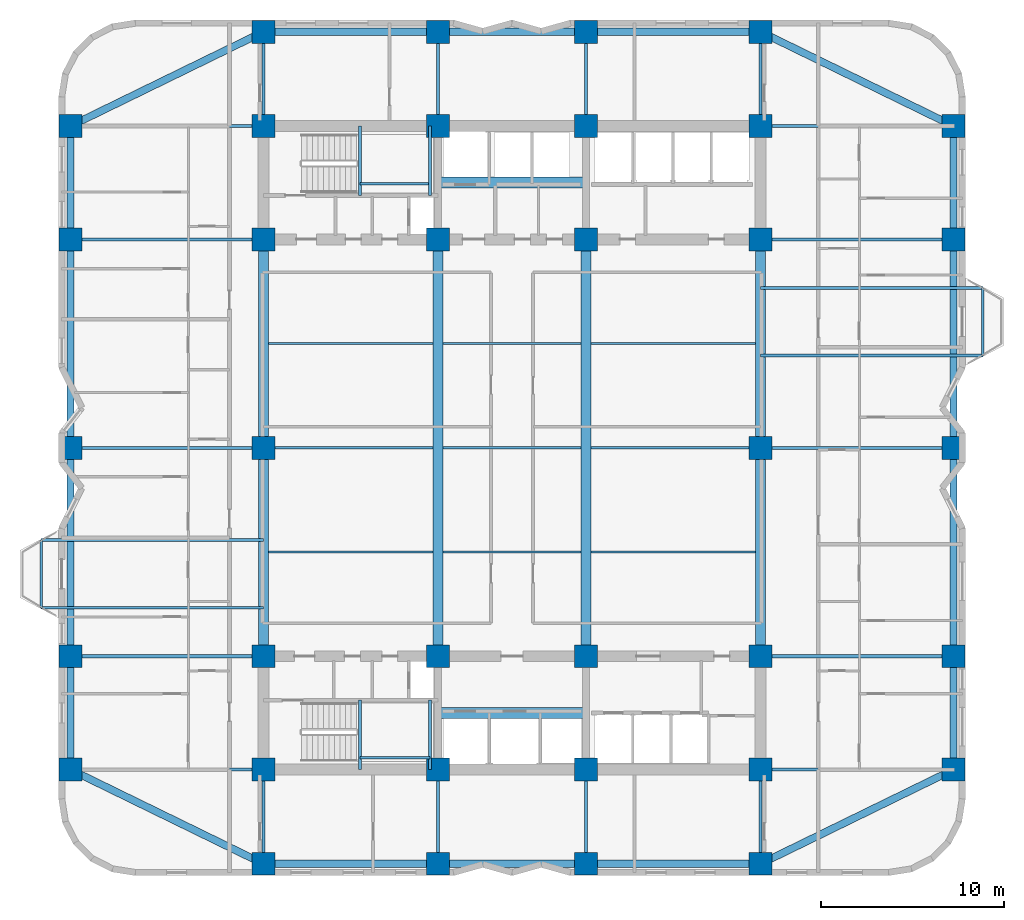
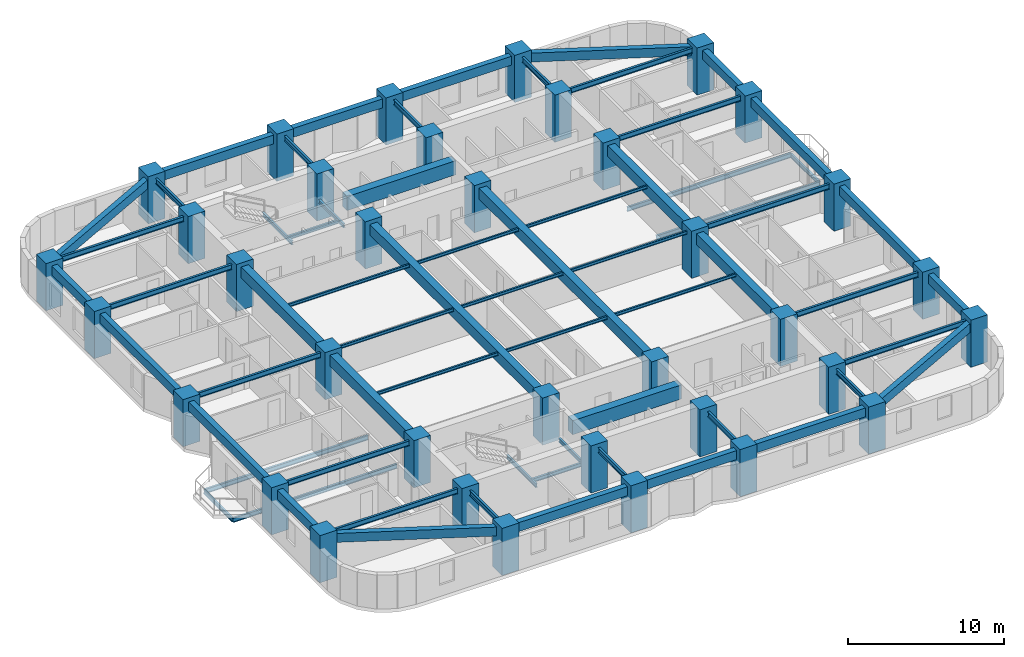
# One storey, part 1 of 10: 65 beams, 36 columns.
"""IFC4 building model written with IfcOpenShell, lengths in metres."""

from ifc_helpers import new_model, si_unit, direction, frame, origin, origin_2d, place, context, subcontext, project, spatial, rectangle, i_section, extrude, material, material_profile, profile_set, type_object, element, save


model = new_model("IFC4")

# Units and contexts
model_context = context("Model", 3, precision=1e-05, world=origin(), true_north=direction((0.0, 1.0)))
body_context = subcontext(model_context, "Body", "Model", "MODEL_VIEW")
ifc_project = project(units=[si_unit("LENGTHUNIT", "METRE"), si_unit("AREAUNIT", "SQUARE_METRE"), si_unit("VOLUMEUNIT", "CUBIC_METRE"), si_unit("PLANEANGLEUNIT", "RADIAN"), si_unit("MASSUNIT", "GRAM", prefix="KILO")], contexts=[model_context])

# Site, building, storey
site_placement = place(None, origin())
site = spatial("IfcSite", under=ifc_project, at=site_placement, CompositionType="ELEMENT")
building_placement = place(site_placement, origin())
building = spatial("IfcBuilding", under=site, at=building_placement, Name="Svetorya Sky Lyceum", CompositionType="ELEMENT")
storey_placement = place(building_placement, frame((0.0, 0.0, 73.199951171875)))
storey = spatial("IfcBuildingStorey", under=building, at=storey_placement, Name="L18", CompositionType="ELEMENT", Elevation=73.199951171875)

# Columns
ifc_material_1 = material(Name="Concrete C60/75", Category="concrete")
ifc_material_profile_1 = material_profile(ifc_material_1, rectangle(XDim=1.25, YDim=1.25, at=origin_2d()), Name="RC COL 1250x1250")
ifc_profile_set_1 = profile_set([ifc_material_profile_1], Name="Concrete C60/75")
column_type = type_object("IfcColumnType", Name="COL-RC-1250", PredefinedType="COLUMN", material=ifc_profile_set_1)
for number, where, z_axis, x_axis, name in (
    (1, (25.60009765625, 10.60009765625, 0.0), (0.0, 0.0, 1.0), (1.0, 0.0, 0.0), "L18 Core Column CS-11"),
    (2, (25.60009765625, 16.800048828125, 0.0), (0.0, 0.0, 1.0), (1.0, 0.0, 0.0), "L18 Core Column CS-12"),
    (3, (35.14990234375, 10.60009765625, 0.0), (0.0, 0.0, 1.0), (1.0, 0.0, 0.0), "L18 Core Column CS-21"),
    (4, (35.14990234375, 16.800048828125, 0.0), (0.0, 0.0, 1.0), (1.0, 0.0, 0.0), "L18 Core Column CS-22"),
    (5, (43.25, 10.60009765625, 0.0), (0.0, 0.0, 1.0), (1.0, 0.0, 0.0), "L18 Core Column CS-31"),
    (6, (43.25, 16.800048828125, 0.0), (0.0, 0.0, 1.0), (1.0, 0.0, 0.0), "L18 Core Column CS-32"),
    (7, (52.800048828125, 10.60009765625, 0.0), (0.0, 0.0, 1.0), (1.0, 0.0, 0.0), "L18 Core Column CS-41"),
    (8, (52.800048828125, 16.800048828125, 0.0), (0.0, 0.0, 1.0), (1.0, 0.0, 0.0), "L18 Core Column CS-42"),
    (9, (25.60009765625, 39.60009765625, 0.0), (0.0, 0.0, 1.0), (1.0, 0.0, 0.0), "L18 Core Column CN-11"),
    (10, (25.60009765625, 45.800048828125, 0.0), (0.0, 0.0, 1.0), (1.0, 0.0, 0.0), "L18 Core Column CN-12"),
    (11, (35.14990234375, 39.60009765625, 0.0), (0.0, 0.0, 1.0), (1.0, 0.0, 0.0), "L18 Core Column CN-21"),
    (12, (35.14990234375, 45.800048828125, 0.0), (0.0, 0.0, 1.0), (1.0, 0.0, 0.0), "L18 Core Column CN-22"),
    (13, (43.25, 39.60009765625, 0.0), (0.0, 0.0, 1.0), (1.0, 0.0, 0.0), "L18 Core Column CN-31"),
    (14, (43.25, 45.800048828125, 0.0), (0.0, 0.0, 1.0), (1.0, 0.0, 0.0), "L18 Core Column CN-32"),
    (15, (52.800048828125, 39.60009765625, 0.0), (0.0, 0.0, 1.0), (1.0, 0.0, 0.0), "L18 Core Column CN-41"),
    (16, (52.800048828125, 45.800048828125, 0.0), (0.0, 0.0, 1.0), (1.0, 0.0, 0.0), "L18 Core Column CN-42"),
    (17, (25.60009765625, 28.199951171875, 0.0), (0.0, 0.0, 1.0), (1.0, 0.0, 0.0), "L18 Core Column CM-W"),
    (18, (52.800048828125, 28.199951171875, 0.0), (0.0, 0.0, 1.0), (1.0, 0.0, 0.0), "L18 Core Column CM-E"),
    (19, (25.60009765625, 5.449951171875, 0.0), (0.0, 0.0, 1.0), (1.0, 0.0, 0.0), "L18 Perimeter Column S1"),
    (20, (25.60009765625, 50.949951171875, 0.0), (0.0, 0.0, 1.0), (1.0, 0.0, 0.0), "L18 Perimeter Column N1"),
    (21, (35.14990234375, 5.449951171875, 0.0), (0.0, 0.0, 1.0), (1.0, 0.0, 0.0), "L18 Perimeter Column S2"),
    (22, (35.14990234375, 50.949951171875, 0.0), (0.0, 0.0, 1.0), (1.0, 0.0, 0.0), "L18 Perimeter Column N2"),
    (23, (43.25, 5.449951171875, 0.0), (0.0, 0.0, 1.0), (1.0, 0.0, 0.0), "L18 Perimeter Column S3"),
    (24, (43.25, 50.949951171875, 0.0), (0.0, 0.0, 1.0), (1.0, 0.0, 0.0), "L18 Perimeter Column N3"),
    (25, (52.800048828125, 5.449951171875, 0.0), (0.0, 0.0, 1.0), (1.0, 0.0, 0.0), "L18 Perimeter Column S4"),
    (26, (52.800048828125, 50.949951171875, 0.0), (0.0, 0.0, 1.0), (1.0, 0.0, 0.0), "L18 Perimeter Column N4"),
    (27, (15.050048828125, 10.60009765625, 0.0), (0.0, 0.0, 1.0), (1.0, 0.0, 0.0), "L18 Perimeter Column W1"),
    (28, (63.35009765625, 10.60009765625, 0.0), (0.0, 0.0, 1.0), (1.0, 0.0, 0.0), "L18 Perimeter Column E1"),
    (29, (15.050048828125, 16.800048828125, 0.0), (0.0, 0.0, 1.0), (1.0, 0.0, 0.0), "L18 Perimeter Column W2"),
    (30, (63.35009765625, 16.800048828125, 0.0), (0.0, 0.0, 1.0), (1.0, 0.0, 0.0), "L18 Perimeter Column E2"),
    (31, (15.050048828125, 28.199951171875, 0.0), (0.0, 0.0, 1.0), (1.0, 0.0, 0.0), "L18 Perimeter Column W3"),
    (32, (63.35009765625, 28.199951171875, 0.0), (0.0, 0.0, 1.0), (1.0, 0.0, 0.0), "L18 Perimeter Column E3"),
    (33, (15.050048828125, 39.60009765625, 0.0), (0.0, 0.0, 1.0), (1.0, 0.0, 0.0), "L18 Perimeter Column W4"),
    (34, (63.35009765625, 39.60009765625, 0.0), (0.0, 0.0, 1.0), (1.0, 0.0, 0.0), "L18 Perimeter Column E4"),
    (35, (15.050048828125, 45.800048828125, 0.0), (0.0, 0.0, 1.0), (1.0, 0.0, 0.0), "L18 Perimeter Column W5"),
    (36, (63.35009765625, 45.800048828125, 0.0), (0.0, 0.0, 1.0), (1.0, 0.0, 0.0), "L18 Perimeter Column E5"),
):
    element("IfcColumn", number, at=place(storey_placement, frame(where, z_axis=z_axis, x_axis=x_axis)), inside=storey, type_object=column_type, Name=name, PredefinedType="COLUMN", context=body_context, shape_type="SweptSolid", body=[
        extrude(rectangle(XDim=1.25, YDim=1.25, at=origin_2d()), origin(), (0.0, 0.0, 1.0), 3.699951171875),
    ])

# Beams
ifc_material_profile_2 = material_profile(ifc_material_1, rectangle(XDim=0.60009765625, YDim=1.10009765625, at=origin_2d()), Name="RC COUPLING 600x1100")
ifc_profile_set_2 = profile_set([ifc_material_profile_2], Name="Concrete C60/75")
beam_type_1 = type_object("IfcBeamType", Name="BM-CPL-1100", PredefinedType="LINTEL", material=ifc_profile_set_2)
for number, where, z_axis, x_axis, name in (
    (37, (35.14990234375, 13.699951171875, 2.830078125), (1.0, 0.0, 0.0), (0.0, 1.0, 0.0), "L18 SC Core Coupling Beam"),
    (38, (35.14990234375, 42.699951171875, 2.830078125), (1.0, 0.0, 0.0), (0.0, 1.0, 0.0), "L18 NC Core Coupling Beam"),
):
    element("IfcBeam", number, at=place(storey_placement, frame(where, z_axis=z_axis, x_axis=x_axis)), inside=storey, type_object=beam_type_1, Name=name, PredefinedType="LINTEL", context=body_context, shape_type="SweptSolid", body=[
        extrude(rectangle(XDim=0.60009765625, YDim=1.10009765625, at=origin_2d()), origin(), (0.0, 0.0, 1.0), 8.10009765625),
    ])
ifc_material_2 = material(Name="Concrete C50/60", Category="concrete")
ifc_material_profile_3 = material_profile(ifc_material_2, rectangle(XDim=0.550048828125, YDim=0.85009765625, at=origin_2d()), Name="RC BEAM 550x850")
ifc_profile_set_3 = profile_set([ifc_material_profile_3], Name="Concrete C50/60")
beam_type_2 = type_object("IfcBeamType", Name="BM-RC-850", PredefinedType="BEAM", material=ifc_profile_set_3)
beam_1_placement = place(storey_placement, frame((25.60009765625, 16.800048828125, 2.955078125), z_axis=(0.0, 1.0, 0.0), x_axis=(-1.0, 0.0, 0.0)))
element("IfcBeam", 39, at=beam_1_placement, inside=storey, type_object=beam_type_2, Name="L18 Central Bay Primary Girder CG-1A", PredefinedType="BEAM", context=body_context, shape_type="SweptSolid", body=[
    extrude(rectangle(XDim=0.550048828125, YDim=0.85009765625, at=origin_2d()), origin(), (0.0, 0.0, 1.0), 11.39990234375),
])
beam_2_placement = place(storey_placement, frame((25.60009765625, 28.199951171875, 2.955078125), z_axis=(0.0, 1.0, 0.0), x_axis=(-1.0, 0.0, 0.0)))
element("IfcBeam", 40, at=beam_2_placement, inside=storey, type_object=beam_type_2, Name="L18 Central Bay Primary Girder CG-1B", PredefinedType="BEAM", context=body_context, shape_type="SweptSolid", body=[
    extrude(rectangle(XDim=0.550048828125, YDim=0.85009765625, at=origin_2d()), origin(), (0.0, 0.0, 1.0), 11.400146484375),
])
for number, where, z_axis, x_axis, name in (
    (41, (35.14990234375, 16.800048828125, 2.955078125), (0.0, 1.0, 0.0), (-1.0, 0.0, 0.0), "L18 Central Bay Primary Girder CG-2"),
    (42, (43.25, 16.800048828125, 2.955078125), (0.0, 1.0, 0.0), (-1.0, 0.0, 0.0), "L18 Central Bay Primary Girder CG-3"),
):
    element("IfcBeam", number, at=place(storey_placement, frame(where, z_axis=z_axis, x_axis=x_axis)), inside=storey, type_object=beam_type_2, Name=name, PredefinedType="BEAM", context=body_context, shape_type="SweptSolid", body=[
        extrude(rectangle(XDim=0.550048828125, YDim=0.85009765625, at=origin_2d()), origin(), (0.0, 0.0, 1.0), 22.800048828125),
    ])
beam_3_placement = place(storey_placement, frame((52.800048828125, 16.800048828125, 2.955078125), z_axis=(0.0, 1.0, 0.0), x_axis=(-1.0, 0.0, 0.0)))
element("IfcBeam", 43, at=beam_3_placement, inside=storey, type_object=beam_type_2, Name="L18 Central Bay Primary Girder CG-4A", PredefinedType="BEAM", context=body_context, shape_type="SweptSolid", body=[
    extrude(rectangle(XDim=0.550048828125, YDim=0.85009765625, at=origin_2d()), origin(), (0.0, 0.0, 1.0), 11.39990234375),
])
beam_4_placement = place(storey_placement, frame((52.800048828125, 28.199951171875, 2.955078125), z_axis=(0.0, 1.0, 0.0), x_axis=(-1.0, 0.0, 0.0)))
element("IfcBeam", 44, at=beam_4_placement, inside=storey, type_object=beam_type_2, Name="L18 Central Bay Primary Girder CG-4B", PredefinedType="BEAM", context=body_context, shape_type="SweptSolid", body=[
    extrude(rectangle(XDim=0.550048828125, YDim=0.85009765625, at=origin_2d()), origin(), (0.0, 0.0, 1.0), 11.400146484375),
])
ifc_material_profile_4 = material_profile(ifc_material_2, rectangle(XDim=0.39990234375, YDim=0.699951171875, at=origin_2d()), Name="RC SPANDREL 400x700")
ifc_profile_set_4 = profile_set([ifc_material_profile_4], Name="Concrete C50/60")
beam_type_3 = type_object("IfcBeamType", Name="BM-SPN-700", PredefinedType="SPANDREL", material=ifc_profile_set_4)
beam_5_placement = place(storey_placement, frame((25.60009765625, 5.449951171875, 3.030029296875), z_axis=(1.0, 0.0, 0.0), x_axis=(0.0, 1.0, 0.0)))
element("IfcBeam", 45, at=beam_5_placement, inside=storey, type_object=beam_type_3, Name="L18 South Spandrel 1", PredefinedType="SPANDREL", context=body_context, shape_type="SweptSolid", body=[
    extrude(rectangle(XDim=0.39990234375, YDim=0.699951171875, at=origin_2d()), origin(), (0.0, 0.0, 1.0), 9.5498046875),
])
beam_6_placement = place(storey_placement, frame((35.14990234375, 5.449951171875, 3.030029296875), z_axis=(1.0, 0.0, 0.0), x_axis=(0.0, 1.0, 0.0)))
element("IfcBeam", 46, at=beam_6_placement, inside=storey, type_object=beam_type_3, Name="L18 South Spandrel 2", PredefinedType="SPANDREL", context=body_context, shape_type="SweptSolid", body=[
    extrude(rectangle(XDim=0.39990234375, YDim=0.699951171875, at=origin_2d()), origin(), (0.0, 0.0, 1.0), 8.10009765625),
])
beam_7_placement = place(storey_placement, frame((43.25, 5.449951171875, 3.030029296875), z_axis=(1.0, 0.0, 0.0), x_axis=(0.0, 1.0, 0.0)))
element("IfcBeam", 47, at=beam_7_placement, inside=storey, type_object=beam_type_3, Name="L18 South Spandrel 3", PredefinedType="SPANDREL", context=body_context, shape_type="SweptSolid", body=[
    extrude(rectangle(XDim=0.39990234375, YDim=0.699951171875, at=origin_2d()), origin(), (0.0, 0.0, 1.0), 9.550048828125),
])
beam_8_placement = place(storey_placement, frame((25.60009765625, 50.949951171875, 3.030029296875), z_axis=(1.0, 0.0, 0.0), x_axis=(0.0, 1.0, 0.0)))
element("IfcBeam", 48, at=beam_8_placement, inside=storey, type_object=beam_type_3, Name="L18 North Spandrel 1", PredefinedType="SPANDREL", context=body_context, shape_type="SweptSolid", body=[
    extrude(rectangle(XDim=0.39990234375, YDim=0.699951171875, at=origin_2d()), origin(), (0.0, 0.0, 1.0), 9.5498046875),
])
beam_9_placement = place(storey_placement, frame((35.14990234375, 50.949951171875, 3.030029296875), z_axis=(1.0, 0.0, 0.0), x_axis=(0.0, 1.0, 0.0)))
element("IfcBeam", 49, at=beam_9_placement, inside=storey, type_object=beam_type_3, Name="L18 North Spandrel 2", PredefinedType="SPANDREL", context=body_context, shape_type="SweptSolid", body=[
    extrude(rectangle(XDim=0.39990234375, YDim=0.699951171875, at=origin_2d()), origin(), (0.0, 0.0, 1.0), 8.10009765625),
])
beam_10_placement = place(storey_placement, frame((43.25, 50.949951171875, 3.030029296875), z_axis=(1.0, 0.0, 0.0), x_axis=(0.0, 1.0, 0.0)))
element("IfcBeam", 50, at=beam_10_placement, inside=storey, type_object=beam_type_3, Name="L18 North Spandrel 3", PredefinedType="SPANDREL", context=body_context, shape_type="SweptSolid", body=[
    extrude(rectangle(XDim=0.39990234375, YDim=0.699951171875, at=origin_2d()), origin(), (0.0, 0.0, 1.0), 9.550048828125),
])
for number, where, z_axis, x_axis, name in (
    (51, (25.60009765625, 5.449951171875, 3.030029296875), (-0.898641495694, 0.438683783854, 0.0), (-0.438683783854, -0.898641495694, 0.0), "L18 Corner Spandrel 1"),
    (52, (52.800048828125, 5.449951171875, 3.030029296875), (0.898641495694, 0.438683783854, 0.0), (-0.438683783854, 0.898641495694, 0.0), "L18 Corner Spandrel 2"),
    (53, (63.35009765625, 45.800048828125, 3.030029296875), (-0.898649693653, 0.438666989978, 0.0), (-0.438666989978, -0.898649693653, 0.0), "L18 Corner Spandrel 3"),
    (54, (15.050048828125, 45.800048828125, 3.030029296875), (0.898649693653, 0.438666989978, 0.0), (-0.438666989978, 0.898649693653, 0.0), "L18 Corner Spandrel 4"),
):
    element("IfcBeam", number, at=place(storey_placement, frame(where, z_axis=z_axis, x_axis=x_axis)), inside=storey, type_object=beam_type_3, Name=name, PredefinedType="SPANDREL", context=body_context, shape_type="SweptSolid", body=[
        extrude(rectangle(XDim=0.39990234375, YDim=0.699951171875, at=origin_2d()), origin(), (0.0, 0.0, 1.0), 11.739990234375),
    ])
beam_11_placement = place(storey_placement, frame((15.050048828125, 10.60009765625, 3.030029296875), z_axis=(0.0, 1.0, 0.0), x_axis=(-1.0, 0.0, 0.0)))
element("IfcBeam", 55, at=beam_11_placement, inside=storey, type_object=beam_type_3, Name="L18 West Spandrel 1", PredefinedType="SPANDREL", context=body_context, shape_type="SweptSolid", body=[
    extrude(rectangle(XDim=0.39990234375, YDim=0.699951171875, at=origin_2d()), origin(), (0.0, 0.0, 1.0), 6.199951171875),
])
beam_12_placement = place(storey_placement, frame((15.050048828125, 16.800048828125, 3.030029296875), z_axis=(0.0, 1.0, 0.0), x_axis=(-1.0, 0.0, 0.0)))
element("IfcBeam", 56, at=beam_12_placement, inside=storey, type_object=beam_type_3, Name="L18 West Spandrel 2", PredefinedType="SPANDREL", context=body_context, shape_type="SweptSolid", body=[
    extrude(rectangle(XDim=0.39990234375, YDim=0.699951171875, at=origin_2d()), origin(), (0.0, 0.0, 1.0), 11.39990234375),
])
beam_13_placement = place(storey_placement, frame((15.050048828125, 28.199951171875, 3.030029296875), z_axis=(0.0, 1.0, 0.0), x_axis=(-1.0, 0.0, 0.0)))
element("IfcBeam", 57, at=beam_13_placement, inside=storey, type_object=beam_type_3, Name="L18 West Spandrel 3", PredefinedType="SPANDREL", context=body_context, shape_type="SweptSolid", body=[
    extrude(rectangle(XDim=0.39990234375, YDim=0.699951171875, at=origin_2d()), origin(), (0.0, 0.0, 1.0), 11.400146484375),
])
for number, where, z_axis, x_axis, name in (
    (58, (15.050048828125, 39.60009765625, 3.030029296875), (0.0, 1.0, 0.0), (-1.0, 0.0, 0.0), "L18 West Spandrel 4"),
    (59, (63.35009765625, 10.60009765625, 3.030029296875), (0.0, 1.0, 0.0), (-1.0, 0.0, 0.0), "L18 East Spandrel 1"),
):
    element("IfcBeam", number, at=place(storey_placement, frame(where, z_axis=z_axis, x_axis=x_axis)), inside=storey, type_object=beam_type_3, Name=name, PredefinedType="SPANDREL", context=body_context, shape_type="SweptSolid", body=[
        extrude(rectangle(XDim=0.39990234375, YDim=0.699951171875, at=origin_2d()), origin(), (0.0, 0.0, 1.0), 6.199951171875),
    ])
beam_14_placement = place(storey_placement, frame((63.35009765625, 16.800048828125, 3.030029296875), z_axis=(0.0, 1.0, 0.0), x_axis=(-1.0, 0.0, 0.0)))
element("IfcBeam", 60, at=beam_14_placement, inside=storey, type_object=beam_type_3, Name="L18 East Spandrel 2", PredefinedType="SPANDREL", context=body_context, shape_type="SweptSolid", body=[
    extrude(rectangle(XDim=0.39990234375, YDim=0.699951171875, at=origin_2d()), origin(), (0.0, 0.0, 1.0), 11.39990234375),
])
beam_15_placement = place(storey_placement, frame((63.35009765625, 28.199951171875, 3.030029296875), z_axis=(0.0, 1.0, 0.0), x_axis=(-1.0, 0.0, 0.0)))
element("IfcBeam", 61, at=beam_15_placement, inside=storey, type_object=beam_type_3, Name="L18 East Spandrel 3", PredefinedType="SPANDREL", context=body_context, shape_type="SweptSolid", body=[
    extrude(rectangle(XDim=0.39990234375, YDim=0.699951171875, at=origin_2d()), origin(), (0.0, 0.0, 1.0), 11.400146484375),
])
beam_16_placement = place(storey_placement, frame((63.35009765625, 39.60009765625, 3.030029296875), z_axis=(0.0, 1.0, 0.0), x_axis=(-1.0, 0.0, 0.0)))
element("IfcBeam", 62, at=beam_16_placement, inside=storey, type_object=beam_type_3, Name="L18 East Spandrel 4", PredefinedType="SPANDREL", context=body_context, shape_type="SweptSolid", body=[
    extrude(rectangle(XDim=0.39990234375, YDim=0.699951171875, at=origin_2d()), origin(), (0.0, 0.0, 1.0), 6.199951171875),
])
ifc_material_3 = material(Name="Steel S355", Category="steel")
ifc_material_profile_5 = material_profile(ifc_material_3, i_section(OverallWidth=0.1240234375, OverallDepth=0.248046875, WebThickness=0.006103515625, FlangeThickness=0.009521484375, at=origin_2d()), Name="GOST 25B2")
ifc_profile_set_5 = profile_set([ifc_material_profile_5], Name="Steel S355")
beam_type_4 = type_object("IfcBeamType", Name="BM-STL-25B2", PredefinedType="JOIST", material=ifc_profile_set_5)
beam_17_placement = place(storey_placement, frame((25.875, 22.5, 3.256103515625), z_axis=(1.0, 0.0, 0.0), x_axis=(0.0, 1.0, 0.0)))
element("IfcBeam", 63, at=beam_17_placement, inside=storey, type_object=beam_type_4, Name="L18 Central Floor Joist CJ-1.1", PredefinedType="JOIST", context=body_context, shape_type="SweptSolid", body=[
    extrude(i_section(OverallWidth=0.1240234375, OverallDepth=0.248046875, WebThickness=0.006103515625, FlangeThickness=0.009521484375, at=origin_2d()), origin(), (0.0, 0.0, 1.0), 9.0),
])
beam_18_placement = place(storey_placement, frame((35.425048828125, 22.5, 3.256103515625), z_axis=(1.0, 0.0, 0.0), x_axis=(0.0, 1.0, 0.0)))
element("IfcBeam", 64, at=beam_18_placement, inside=storey, type_object=beam_type_4, Name="L18 Central Floor Joist CJ-1.2", PredefinedType="JOIST", context=body_context, shape_type="SweptSolid", body=[
    extrude(i_section(OverallWidth=0.1240234375, OverallDepth=0.248046875, WebThickness=0.006103515625, FlangeThickness=0.009521484375, at=origin_2d()), origin(), (0.0, 0.0, 1.0), 7.550048828125),
])
for number, where, z_axis, x_axis, name in (
    (65, (43.52490234375, 22.5, 3.256103515625), (1.0, 0.0, 0.0), (0.0, 1.0, 0.0), "L18 Central Floor Joist CJ-1.3"),
    (66, (25.875, 28.199951171875, 3.256103515625), (1.0, 0.0, 0.0), (0.0, 1.0, 0.0), "L18 Central Floor Joist CJ-2.1"),
):
    element("IfcBeam", number, at=place(storey_placement, frame(where, z_axis=z_axis, x_axis=x_axis)), inside=storey, type_object=beam_type_4, Name=name, PredefinedType="JOIST", context=body_context, shape_type="SweptSolid", body=[
        extrude(i_section(OverallWidth=0.1240234375, OverallDepth=0.248046875, WebThickness=0.006103515625, FlangeThickness=0.009521484375, at=origin_2d()), origin(), (0.0, 0.0, 1.0), 9.0),
    ])
beam_19_placement = place(storey_placement, frame((35.425048828125, 28.199951171875, 3.256103515625), z_axis=(1.0, 0.0, 0.0), x_axis=(0.0, 1.0, 0.0)))
element("IfcBeam", 67, at=beam_19_placement, inside=storey, type_object=beam_type_4, Name="L18 Central Floor Joist CJ-2.2", PredefinedType="JOIST", context=body_context, shape_type="SweptSolid", body=[
    extrude(i_section(OverallWidth=0.1240234375, OverallDepth=0.248046875, WebThickness=0.006103515625, FlangeThickness=0.009521484375, at=origin_2d()), origin(), (0.0, 0.0, 1.0), 7.550048828125),
])
for number, where, z_axis, x_axis, name in (
    (68, (43.52490234375, 28.199951171875, 3.256103515625), (1.0, 0.0, 0.0), (0.0, 1.0, 0.0), "L18 Central Floor Joist CJ-2.3"),
    (69, (25.875, 33.89990234375, 3.256103515625), (1.0, 0.0, 0.0), (0.0, 1.0, 0.0), "L18 Central Floor Joist CJ-3.1"),
):
    element("IfcBeam", number, at=place(storey_placement, frame(where, z_axis=z_axis, x_axis=x_axis)), inside=storey, type_object=beam_type_4, Name=name, PredefinedType="JOIST", context=body_context, shape_type="SweptSolid", body=[
        extrude(i_section(OverallWidth=0.1240234375, OverallDepth=0.248046875, WebThickness=0.006103515625, FlangeThickness=0.009521484375, at=origin_2d()), origin(), (0.0, 0.0, 1.0), 9.0),
    ])
beam_20_placement = place(storey_placement, frame((35.425048828125, 33.89990234375, 3.256103515625), z_axis=(1.0, 0.0, 0.0), x_axis=(0.0, 1.0, 0.0)))
element("IfcBeam", 70, at=beam_20_placement, inside=storey, type_object=beam_type_4, Name="L18 Central Floor Joist CJ-3.2", PredefinedType="JOIST", context=body_context, shape_type="SweptSolid", body=[
    extrude(i_section(OverallWidth=0.1240234375, OverallDepth=0.248046875, WebThickness=0.006103515625, FlangeThickness=0.009521484375, at=origin_2d()), origin(), (0.0, 0.0, 1.0), 7.550048828125),
])
beam_21_placement = place(storey_placement, frame((43.52490234375, 33.89990234375, 3.256103515625), z_axis=(1.0, 0.0, 0.0), x_axis=(0.0, 1.0, 0.0)))
element("IfcBeam", 71, at=beam_21_placement, inside=storey, type_object=beam_type_4, Name="L18 Central Floor Joist CJ-3.3", PredefinedType="JOIST", context=body_context, shape_type="SweptSolid", body=[
    extrude(i_section(OverallWidth=0.1240234375, OverallDepth=0.248046875, WebThickness=0.006103515625, FlangeThickness=0.009521484375, at=origin_2d()), origin(), (0.0, 0.0, 1.0), 9.0),
])
ifc_material_profile_6 = material_profile(ifc_material_3, i_section(OverallWidth=0.14990234375, OverallDepth=0.299072265625, WebThickness=0.006591796875, FlangeThickness=0.010498046875, at=origin_2d()), Name="GOST 30B2")
ifc_profile_set_6 = profile_set([ifc_material_profile_6], Name="Steel S355")
beam_type_5 = type_object("IfcBeamType", Name="BM-STL-30B2", PredefinedType="JOIST", material=ifc_profile_set_6)
for number, where, z_axis, x_axis, name in (
    (72, (13.449951171875, 19.449951171875, -0.454345703125), (0.0, 1.0, 0.0), (-1.0, 0.0, 0.0), "L18 Balcony Edge Tie BAL-W1"),
    (73, (64.949951171875, 33.25, -0.454345703125), (0.0, 1.0, 0.0), (-1.0, 0.0, 0.0), "L18 Balcony Edge Tie BAL-E1"),
):
    element("IfcBeam", number, at=place(storey_placement, frame(where, z_axis=z_axis, x_axis=x_axis)), inside=storey, type_object=beam_type_5, Name=name, PredefinedType="JOIST", context=body_context, shape_type="SweptSolid", body=[
        extrude(i_section(OverallWidth=0.14990234375, OverallDepth=0.299072265625, WebThickness=0.006591796875, FlangeThickness=0.010498046875, at=origin_2d()), origin(), (0.0, 0.0, 1.0), 3.699951171875),
    ])
for number, where, z_axis, x_axis, name in (
    (74, (30.8798828125, 10.60009765625, 1.50048828125), (0.0, 1.0, 0.0), (-1.0, 0.0, 0.0), "L18 Stair ST-S Half-Landing Support Beam 20.1"),
    (75, (34.719970703125, 10.60009765625, 1.50048828125), (0.0, 1.0, 0.0), (-1.0, 0.0, 0.0), "L18 Stair ST-S Half-Landing Support Beam 20.2"),
):
    element("IfcBeam", number, at=place(storey_placement, frame(where, z_axis=z_axis, x_axis=x_axis)), inside=storey, type_object=beam_type_5, Name=name, PredefinedType="JOIST", context=body_context, shape_type="SweptSolid", body=[
        extrude(i_section(OverallWidth=0.14990234375, OverallDepth=0.299072265625, WebThickness=0.006591796875, FlangeThickness=0.010498046875, at=origin_2d()), origin(), (0.0, 0.0, 1.0), 3.7998046875),
    ])
beam_22_placement = place(storey_placement, frame((30.8798828125, 11.25, 1.50048828125), z_axis=(1.0, 0.0, 0.0), x_axis=(0.0, 1.0, 0.0)))
element("IfcBeam", 76, at=beam_22_placement, inside=storey, type_object=beam_type_5, Name="L18 Stair ST-S Half-Landing Cross Tie 20", PredefinedType="JOIST", context=body_context, shape_type="SweptSolid", body=[
    extrude(i_section(OverallWidth=0.14990234375, OverallDepth=0.299072265625, WebThickness=0.006591796875, FlangeThickness=0.010498046875, at=origin_2d()), origin(), (0.0, 0.0, 1.0), 3.840087890625),
])
for number, where, z_axis, x_axis, name in (
    (77, (30.8798828125, 42.0, 1.50048828125), (0.0, 1.0, 0.0), (-1.0, 0.0, 0.0), "L18 Stair ST-N Half-Landing Support Beam 20.1"),
    (78, (34.719970703125, 42.0, 1.50048828125), (0.0, 1.0, 0.0), (-1.0, 0.0, 0.0), "L18 Stair ST-N Half-Landing Support Beam 20.2"),
):
    element("IfcBeam", number, at=place(storey_placement, frame(where, z_axis=z_axis, x_axis=x_axis)), inside=storey, type_object=beam_type_5, Name=name, PredefinedType="JOIST", context=body_context, shape_type="SweptSolid", body=[
        extrude(i_section(OverallWidth=0.14990234375, OverallDepth=0.299072265625, WebThickness=0.006591796875, FlangeThickness=0.010498046875, at=origin_2d()), origin(), (0.0, 0.0, 1.0), 3.800048828125),
    ])
beam_23_placement = place(storey_placement, frame((30.8798828125, 42.64990234375, 1.50048828125), z_axis=(1.0, 0.0, 0.0), x_axis=(0.0, 1.0, 0.0)))
element("IfcBeam", 79, at=beam_23_placement, inside=storey, type_object=beam_type_5, Name="L18 Stair ST-N Half-Landing Cross Tie 20", PredefinedType="JOIST", context=body_context, shape_type="SweptSolid", body=[
    extrude(i_section(OverallWidth=0.14990234375, OverallDepth=0.299072265625, WebThickness=0.006591796875, FlangeThickness=0.010498046875, at=origin_2d()), origin(), (0.0, 0.0, 1.0), 3.840087890625),
])
ifc_material_profile_7 = material_profile(ifc_material_3, i_section(OverallWidth=0.155029296875, OverallDepth=0.34912109375, WebThickness=0.007080078125, FlangeThickness=0.011474609375, at=origin_2d()), Name="GOST 35B2")
ifc_profile_set_7 = profile_set([ifc_material_profile_7], Name="Steel S355")
beam_type_6 = type_object("IfcBeamType", Name="BM-STL-35B2", PredefinedType="JOIST", material=ifc_profile_set_7)
for number, where, z_axis, x_axis, name in (
    (80, (25.60009765625, 19.449951171875, -0.454345703125), (-1.0, 0.0, 0.0), (0.0, -1.0, 0.0), "L18 Balcony Cantilever Beam BAL-W1-1"),
    (81, (25.60009765625, 23.14990234375, -0.454345703125), (-1.0, 0.0, 0.0), (0.0, -1.0, 0.0), "L18 Balcony Cantilever Beam BAL-W1-2"),
):
    element("IfcBeam", number, at=place(storey_placement, frame(where, z_axis=z_axis, x_axis=x_axis)), inside=storey, type_object=beam_type_6, Name=name, PredefinedType="JOIST", context=body_context, shape_type="SweptSolid", body=[
        extrude(i_section(OverallWidth=0.155029296875, OverallDepth=0.34912109375, WebThickness=0.007080078125, FlangeThickness=0.011474609375, at=origin_2d()), origin(), (0.0, 0.0, 1.0), 12.150146484375),
    ])
for number, where, z_axis, x_axis, name in (
    (82, (52.800048828125, 33.25, -0.454345703125), (1.0, 0.0, 0.0), (0.0, 1.0, 0.0), "L18 Balcony Cantilever Beam BAL-E1-1"),
    (83, (52.800048828125, 36.949951171875, -0.454345703125), (1.0, 0.0, 0.0), (0.0, 1.0, 0.0), "L18 Balcony Cantilever Beam BAL-E1-2"),
):
    element("IfcBeam", number, at=place(storey_placement, frame(where, z_axis=z_axis, x_axis=x_axis)), inside=storey, type_object=beam_type_6, Name=name, PredefinedType="JOIST", context=body_context, shape_type="SweptSolid", body=[
        extrude(i_section(OverallWidth=0.155029296875, OverallDepth=0.34912109375, WebThickness=0.007080078125, FlangeThickness=0.011474609375, at=origin_2d()), origin(), (0.0, 0.0, 1.0), 12.14990234375),
    ])
ifc_material_profile_8 = material_profile(ifc_material_3, i_section(OverallWidth=0.1650390625, OverallDepth=0.39990234375, WebThickness=0.008056640625, FlangeThickness=0.012939453125, at=origin_2d()), Name="GOST 40B2")
ifc_profile_set_8 = profile_set([ifc_material_profile_8], Name="Steel S355")
beam_type_7 = type_object("IfcBeamType", Name="BM-STL-40B2", PredefinedType="JOIST", material=ifc_profile_set_8)
for number, where, z_axis, x_axis, name in (
    (84, (15.050048828125, 10.60009765625, 3.179931640625), (1.0, 0.0, 0.0), (0.0, 1.0, 0.0), "L18 West Wing Floor Joist W1"),
    (85, (52.800048828125, 10.60009765625, 3.179931640625), (1.0, 0.0, 0.0), (0.0, 1.0, 0.0), "L18 East Wing Floor Joist E1"),
    (86, (15.050048828125, 16.800048828125, 3.179931640625), (1.0, 0.0, 0.0), (0.0, 1.0, 0.0), "L18 West Wing Floor Joist W2"),
    (87, (52.800048828125, 16.800048828125, 3.179931640625), (1.0, 0.0, 0.0), (0.0, 1.0, 0.0), "L18 East Wing Floor Joist E2"),
    (88, (15.050048828125, 28.199951171875, 3.179931640625), (1.0, 0.0, 0.0), (0.0, 1.0, 0.0), "L18 West Wing Floor Joist W3"),
    (89, (52.800048828125, 28.199951171875, 3.179931640625), (1.0, 0.0, 0.0), (0.0, 1.0, 0.0), "L18 East Wing Floor Joist E3"),
    (90, (15.050048828125, 39.60009765625, 3.179931640625), (1.0, 0.0, 0.0), (0.0, 1.0, 0.0), "L18 West Wing Floor Joist W4"),
    (91, (52.800048828125, 39.60009765625, 3.179931640625), (1.0, 0.0, 0.0), (0.0, 1.0, 0.0), "L18 East Wing Floor Joist E4"),
    (92, (15.050048828125, 45.800048828125, 3.179931640625), (1.0, 0.0, 0.0), (0.0, 1.0, 0.0), "L18 West Wing Floor Joist W5"),
    (93, (52.800048828125, 45.800048828125, 3.179931640625), (1.0, 0.0, 0.0), (0.0, 1.0, 0.0), "L18 East Wing Floor Joist E5"),
):
    element("IfcBeam", number, at=place(storey_placement, frame(where, z_axis=z_axis, x_axis=x_axis)), inside=storey, type_object=beam_type_7, Name=name, PredefinedType="JOIST", context=body_context, shape_type="SweptSolid", body=[
        extrude(i_section(OverallWidth=0.1650390625, OverallDepth=0.39990234375, WebThickness=0.008056640625, FlangeThickness=0.012939453125, at=origin_2d()), origin(), (0.0, 0.0, 1.0), 10.550048828125),
    ])
beam_24_placement = place(storey_placement, frame((25.60009765625, 5.449951171875, 3.179931640625), z_axis=(0.0, 1.0, 0.0), x_axis=(-1.0, 0.0, 0.0)))
element("IfcBeam", 94, at=beam_24_placement, inside=storey, type_object=beam_type_7, Name="L18 South Bay Floor Girder S1", PredefinedType="JOIST", context=body_context, shape_type="SweptSolid", body=[
    extrude(i_section(OverallWidth=0.1650390625, OverallDepth=0.39990234375, WebThickness=0.008056640625, FlangeThickness=0.012939453125, at=origin_2d()), origin(), (0.0, 0.0, 1.0), 5.150146484375),
])
beam_25_placement = place(storey_placement, frame((25.60009765625, 45.800048828125, 3.179931640625), z_axis=(0.0, 1.0, 0.0), x_axis=(-1.0, 0.0, 0.0)))
element("IfcBeam", 95, at=beam_25_placement, inside=storey, type_object=beam_type_7, Name="L18 North Bay Floor Girder N1", PredefinedType="JOIST", context=body_context, shape_type="SweptSolid", body=[
    extrude(i_section(OverallWidth=0.1650390625, OverallDepth=0.39990234375, WebThickness=0.008056640625, FlangeThickness=0.012939453125, at=origin_2d()), origin(), (0.0, 0.0, 1.0), 5.14990234375),
])
beam_26_placement = place(storey_placement, frame((35.14990234375, 5.449951171875, 3.179931640625), z_axis=(0.0, 1.0, 0.0), x_axis=(-1.0, 0.0, 0.0)))
element("IfcBeam", 96, at=beam_26_placement, inside=storey, type_object=beam_type_7, Name="L18 South Bay Floor Girder S2", PredefinedType="JOIST", context=body_context, shape_type="SweptSolid", body=[
    extrude(i_section(OverallWidth=0.1650390625, OverallDepth=0.39990234375, WebThickness=0.008056640625, FlangeThickness=0.012939453125, at=origin_2d()), origin(), (0.0, 0.0, 1.0), 5.150146484375),
])
beam_27_placement = place(storey_placement, frame((35.14990234375, 45.800048828125, 3.179931640625), z_axis=(0.0, 1.0, 0.0), x_axis=(-1.0, 0.0, 0.0)))
element("IfcBeam", 97, at=beam_27_placement, inside=storey, type_object=beam_type_7, Name="L18 North Bay Floor Girder N2", PredefinedType="JOIST", context=body_context, shape_type="SweptSolid", body=[
    extrude(i_section(OverallWidth=0.1650390625, OverallDepth=0.39990234375, WebThickness=0.008056640625, FlangeThickness=0.012939453125, at=origin_2d()), origin(), (0.0, 0.0, 1.0), 5.14990234375),
])
beam_28_placement = place(storey_placement, frame((43.25, 5.449951171875, 3.179931640625), z_axis=(0.0, 1.0, 0.0), x_axis=(-1.0, 0.0, 0.0)))
element("IfcBeam", 98, at=beam_28_placement, inside=storey, type_object=beam_type_7, Name="L18 South Bay Floor Girder S3", PredefinedType="JOIST", context=body_context, shape_type="SweptSolid", body=[
    extrude(i_section(OverallWidth=0.1650390625, OverallDepth=0.39990234375, WebThickness=0.008056640625, FlangeThickness=0.012939453125, at=origin_2d()), origin(), (0.0, 0.0, 1.0), 5.150146484375),
])
beam_29_placement = place(storey_placement, frame((43.25, 45.800048828125, 3.179931640625), z_axis=(0.0, 1.0, 0.0), x_axis=(-1.0, 0.0, 0.0)))
element("IfcBeam", 99, at=beam_29_placement, inside=storey, type_object=beam_type_7, Name="L18 North Bay Floor Girder N3", PredefinedType="JOIST", context=body_context, shape_type="SweptSolid", body=[
    extrude(i_section(OverallWidth=0.1650390625, OverallDepth=0.39990234375, WebThickness=0.008056640625, FlangeThickness=0.012939453125, at=origin_2d()), origin(), (0.0, 0.0, 1.0), 5.14990234375),
])
beam_30_placement = place(storey_placement, frame((52.800048828125, 5.449951171875, 3.179931640625), z_axis=(0.0, 1.0, 0.0), x_axis=(-1.0, 0.0, 0.0)))
element("IfcBeam", 100, at=beam_30_placement, inside=storey, type_object=beam_type_7, Name="L18 South Bay Floor Girder S4", PredefinedType="JOIST", context=body_context, shape_type="SweptSolid", body=[
    extrude(i_section(OverallWidth=0.1650390625, OverallDepth=0.39990234375, WebThickness=0.008056640625, FlangeThickness=0.012939453125, at=origin_2d()), origin(), (0.0, 0.0, 1.0), 5.150146484375),
])
beam_31_placement = place(storey_placement, frame((52.800048828125, 45.800048828125, 3.179931640625), z_axis=(0.0, 1.0, 0.0), x_axis=(-1.0, 0.0, 0.0)))
element("IfcBeam", 101, at=beam_31_placement, inside=storey, type_object=beam_type_7, Name="L18 North Bay Floor Girder N4", PredefinedType="JOIST", context=body_context, shape_type="SweptSolid", body=[
    extrude(i_section(OverallWidth=0.1650390625, OverallDepth=0.39990234375, WebThickness=0.008056640625, FlangeThickness=0.012939453125, at=origin_2d()), origin(), (0.0, 0.0, 1.0), 5.14990234375),
])

save(model, "model.ifc")
